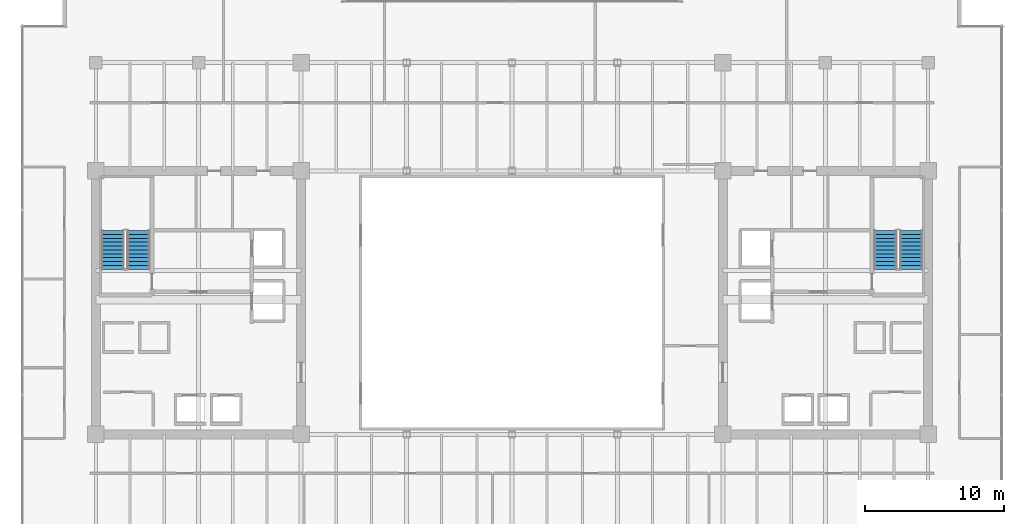
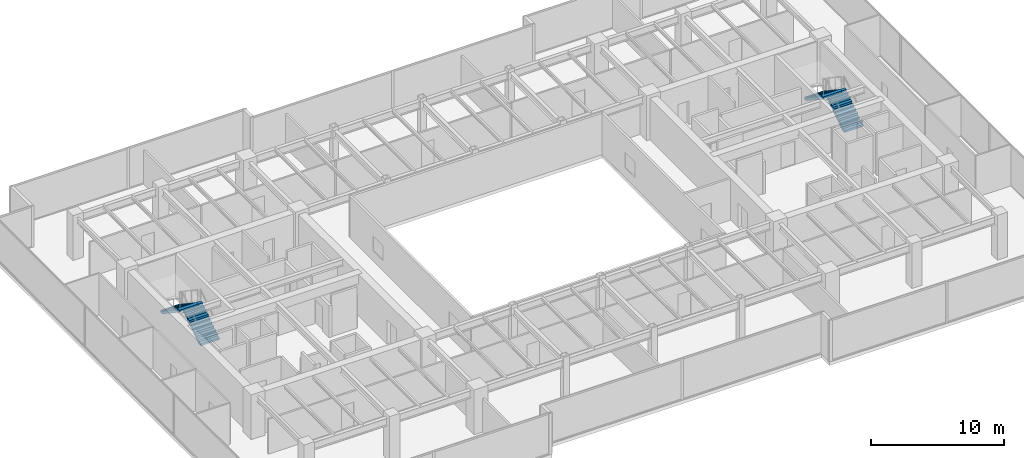
# One storey, part 29 of 31: 4 stair flights, 2 elements without a shape of their own.
"""IFC4 building model written with IfcOpenShell, lengths in metres."""

from ifc_helpers import new_model, si_unit, direction, frame, origin, place, context, subcontext, project, spatial, polyline, outline, extrude, source, transform, mapped, material, type_object, type_shapes, element, aggregate, save


model = new_model("IFC4")

# Units and contexts
model_context = context("Model", 3, precision=1e-05, world=origin(), true_north=direction((0.0, 1.0)))
body_context = subcontext(model_context, "Body", "Model", "MODEL_VIEW")
ifc_project = project(units=[si_unit("LENGTHUNIT", "METRE"), si_unit("AREAUNIT", "SQUARE_METRE"), si_unit("VOLUMEUNIT", "CUBIC_METRE"), si_unit("PLANEANGLEUNIT", "RADIAN"), si_unit("MASSUNIT", "GRAM", prefix="KILO")], contexts=[model_context])

# Site, building, storey
site_placement = place(None, origin())
site = spatial("IfcSite", under=ifc_project, at=site_placement, CompositionType="ELEMENT")
building_placement = place(site_placement, origin())
building = spatial("IfcBuilding", under=site, at=building_placement, Name="Haelvirn Gate Laboratories", CompositionType="ELEMENT")
storey_placement = place(building_placement, frame((0.0, 0.0, 174.800048828125)))
storey = spatial("IfcBuildingStorey", under=building, at=storey_placement, Name="L42", CompositionType="ELEMENT", Elevation=174.800048828125)

# Stair, stair flights
ifc_material = material(Name="Concrete C40/50", Category="concrete")
stair_type = type_object("IfcStairType", Name="ST-DOG-1650-R22", PredefinedType="HALF_TURN_STAIR", material=ifc_material)
stair_1_placement = place(storey_placement, origin())
stair_1 = element("IfcStair", 1, at=stair_1_placement, inside=storey, type_object=stair_type, Name="L42 Escape Stair ST1", PredefinedType="HALF_TURN_STAIR")
stair_flight_type = type_object("IfcStairFlightType", Name="STF-1650-R11", PredefinedType="STRAIGHT", material=ifc_material)
shared_shape = source(origin(), body_context, "Body", "SweptSolid", [
    extrude(outline(polyline([(0.0, 0.0), (0.0, 0.186279296875), (0.280029296875, 0.186279296875), (0.280029296875, 0.372802734375), (0.56005859375, 0.372802734375), (0.56005859375, 0.55908203125), (0.840087890625, 0.55908203125), (0.840087890625, 0.745361328125), (1.1201171875, 0.745361328125), (1.1201171875, 0.931884765625), (1.39990234375, 0.931884765625), (1.39990234375, 1.1181640625), (1.679931640625, 1.1181640625), (1.679931640625, 1.304443359375), (1.9599609375, 1.304443359375), (1.9599609375, 1.490966796875), (2.239990234375, 1.490966796875), (2.239990234375, 1.67724609375), (2.52001953125, 1.67724609375), (2.52001953125, 1.863525390625), (2.800048828125, 1.863525390625), (2.800048828125, 2.050048828125), (2.800048828125, 1.671630859375), (0.28857421875, 0.0), (0.0, 0.0)])), frame((0.0, 0.824951171875, 0.0), z_axis=(0.0, -1.0, 0.0), x_axis=(1.0, 0.0, 0.0)), (0.0, 0.0, 1.0), 1.64990234375),
])
type_shapes(stair_flight_type, [shared_shape])
stair_flight_1_placement = place(storey_placement, frame((10.47509765625, 26.699951171875, 0.0), z_axis=(0.0, 0.0, 1.0), x_axis=(0.0, 1.0, 0.0)))
stair_flight_1 = element("IfcStairFlight", 2, at=stair_flight_1_placement, type_object=stair_flight_type, Name="ST1 flight 1", NumberOfRisers=11, NumberOfTreads=10, PredefinedType="STRAIGHT", RiserHeight=0.186363636, TreadLength=0.28, context=body_context, shape_type="MappedRepresentation", body=[
    mapped(shared_shape, transform((0.0, 0.0, 0.0), scale=1.0)),
])
stair_flight_2_placement = place(storey_placement, frame((8.625, 29.5, 2.050048828125), z_axis=(0.0, 0.0, 1.0), x_axis=(0.0, -1.0, 0.0)))
stair_flight_2 = element("IfcStairFlight", 3, at=stair_flight_2_placement, type_object=stair_flight_type, Name="ST1 flight 2", NumberOfRisers=11, NumberOfTreads=10, PredefinedType="STRAIGHT", RiserHeight=0.186363636, TreadLength=0.28, context=body_context, shape_type="MappedRepresentation", body=[
    mapped(shared_shape, transform((0.0, 0.0, 0.0), scale=1.0)),
])
aggregate(stair_1, [stair_flight_1, stair_flight_2])

stair_2_placement = place(storey_placement, origin())
stair_2 = element("IfcStair", 4, at=stair_2_placement, inside=storey, type_object=stair_type, Name="L42 Escape Stair ST2", PredefinedType="HALF_TURN_STAIR")
stair_flight_3_placement = place(storey_placement, frame((66.175048828125, 26.699951171875, 0.0), z_axis=(0.0, 0.0, 1.0), x_axis=(0.0, 1.0, 0.0)))
stair_flight_3 = element("IfcStairFlight", 5, at=stair_flight_3_placement, type_object=stair_flight_type, Name="ST2 flight 1", NumberOfRisers=11, NumberOfTreads=10, PredefinedType="STRAIGHT", RiserHeight=0.186363636, TreadLength=0.28, context=body_context, shape_type="MappedRepresentation", body=[
    mapped(shared_shape, transform((0.0, 0.0, 0.0), scale=1.0)),
])
stair_flight_4_placement = place(storey_placement, frame((64.324951171875, 29.5, 2.050048828125), z_axis=(0.0, 0.0, 1.0), x_axis=(0.0, -1.0, 0.0)))
stair_flight_4 = element("IfcStairFlight", 6, at=stair_flight_4_placement, type_object=stair_flight_type, Name="ST2 flight 2", NumberOfRisers=11, NumberOfTreads=10, PredefinedType="STRAIGHT", RiserHeight=0.186363636, TreadLength=0.28, context=body_context, shape_type="MappedRepresentation", body=[
    mapped(shared_shape, transform((0.0, 0.0, 0.0), scale=1.0)),
])
aggregate(stair_2, [stair_flight_3, stair_flight_4])

save(model, "model.ifc")
